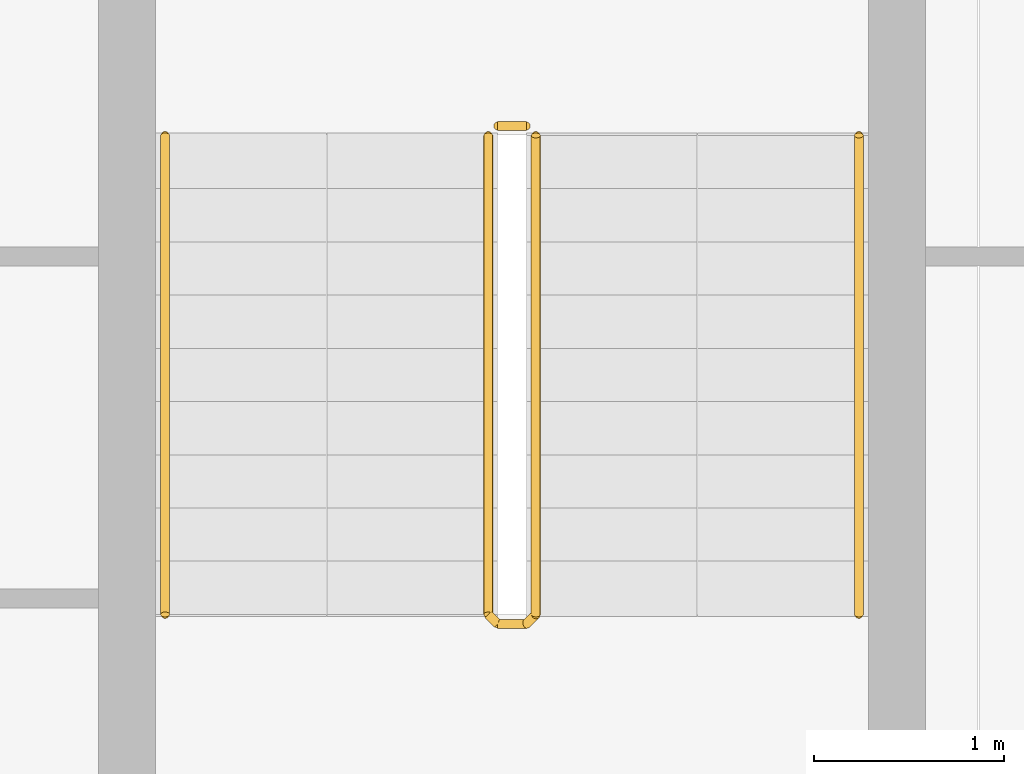
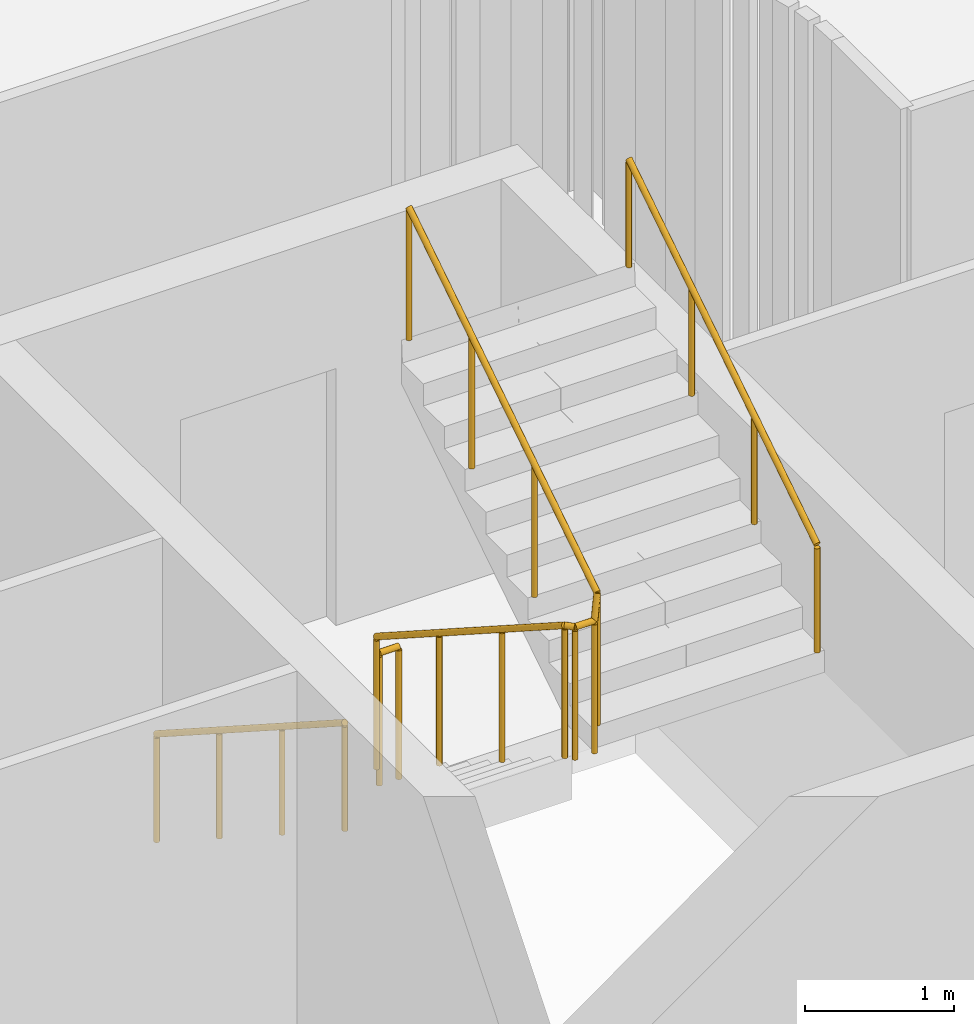
# One storey, part 29 of 31: 4 railings.
"""IFC4 building model written with IfcOpenShell, lengths in metres."""

from ifc_helpers import new_model, si_unit, direction, frame, origin, origin_2d, place, context, subcontext, project, spatial, circle, extrude, material, type_object, element, save


model = new_model("IFC4")

# Units and contexts
model_context = context("Model", 3, precision=1e-05, world=origin(), true_north=direction((0.0, 1.0)))
body_context = subcontext(model_context, "Body", "Model", "MODEL_VIEW")
ifc_project = project(units=[si_unit("LENGTHUNIT", "METRE"), si_unit("AREAUNIT", "SQUARE_METRE"), si_unit("VOLUMEUNIT", "CUBIC_METRE"), si_unit("PLANEANGLEUNIT", "RADIAN"), si_unit("MASSUNIT", "GRAM", prefix="KILO")], contexts=[model_context])

# Site, building, storey
site_placement = place(None, origin())
site = spatial("IfcSite", under=ifc_project, at=site_placement, CompositionType="ELEMENT")
building_placement = place(site_placement, origin())
building = spatial("IfcBuilding", under=site, at=building_placement, Name="Wharfspan Tower", CompositionType="ELEMENT")
storey_placement = place(building_placement, frame((0.0, 0.0, 103.899902)))
storey = spatial("IfcBuildingStorey", under=building, at=storey_placement, Name="L23", CompositionType="ELEMENT", Elevation=103.899902)

# Railings
ifc_material = material(Name="Steel S355J2", Category="steel")
railing_type_1 = type_object("IfcRailingType", Name="Stair guard 1100", PredefinedType="GUARDRAIL", material=ifc_material)
railing_1_placement = place(storey_placement, frame((43.235352, 6.316895, 0.180176)))
element("IfcRailing", 1, at=railing_1_placement, inside=storey, type_object=railing_type_1, Name="L23 ST4 stair guard 1", PredefinedType="GUARDRAIL", context=body_context, shape_type="SweptSolid", body=[
    extrude(circle(Radius=0.023926, at=origin_2d()), frame((0.0, 0.0, 1.076172), z_axis=(0.0, -0.8412, 0.540725), x_axis=(1.0, 0.0, 0.0)), (0.0, 0.0, 1.0), 2.99585),
    extrude(circle(Radius=0.023926, at=origin_2d()), frame((0.0, -2.52002, 2.695801), z_axis=(0.707107, -0.707107, 0.0), x_axis=(0.707107, 0.707107, 0.0)), (0.0, 0.0, 1.0), 0.070312),
    extrude(circle(Radius=0.023926, at=origin_2d()), frame((0.049805, -2.569824, 2.695801), z_axis=(1.0, 0.0, 0.0), x_axis=(0.0, 1.0, 0.0)), (0.0, 0.0, 1.0), 0.150146),
    extrude(circle(Radius=0.023926, at=origin_2d()), frame((0.199951, -2.569824, 2.695801), z_axis=(0.258932, 0.257669, 0.930892), x_axis=(-0.705372, 0.708833, -1e-06)), (0.0, 0.0, 1.0), 0.193359),
    extrude(circle(Radius=0.023926, at=origin_2d()), frame((0.25, -2.52002, 2.875977), z_axis=(0.0, 0.841163, 0.540782), x_axis=(-1.0, 0.0, 0.0)), (0.0, 0.0, 1.0), 2.99585),
    extrude(circle(Radius=0.020996, at=origin_2d()), origin(), (0.0, 0.0, 1.0), 1.052002),
    extrude(circle(Radius=0.020996, at=origin_2d()), frame((0.0, -0.840088, 0.540039)), (0.0, 0.0, 1.0), 1.052002),
    extrude(circle(Radius=0.020996, at=origin_2d()), frame((0.0, -1.679932, 1.079834)), (0.0, 0.0, 1.0), 1.052002),
    extrude(circle(Radius=0.020996, at=origin_2d()), frame((0.0, -2.52002, 1.619873)), (0.0, 0.0, 1.0), 1.052002),
    extrude(circle(Radius=0.020996, at=origin_2d()), frame((0.049805, -2.569824, 1.619873)), (0.0, 0.0, 1.0), 1.052002),
    extrude(circle(Radius=0.020996, at=origin_2d()), frame((0.199951, -2.569824, 1.619873)), (0.0, 0.0, 1.0), 1.052002),
    extrude(circle(Radius=0.020996, at=origin_2d()), frame((0.25, -2.52002, 1.799805)), (0.0, 0.0, 1.0), 1.052002),
    extrude(circle(Radius=0.020996, at=origin_2d()), frame((0.25, -1.679932, 2.339844)), (0.0, 0.0, 1.0), 1.052002),
    extrude(circle(Radius=0.020996, at=origin_2d()), frame((0.25, -0.840088, 2.879883)), (0.0, 0.0, 1.0), 1.052002),
    extrude(circle(Radius=0.020996, at=origin_2d()), frame((0.25, 0.0, 3.419922)), (0.0, 0.0, 1.0), 1.052002),
])
railing_2_placement = place(storey_placement, frame((43.285156, 6.366943, 0.0)))
element("IfcRailing", 2, at=railing_2_placement, inside=storey, type_object=railing_type_1, Name="L23 ST4 stair guard 2", PredefinedType="GUARDRAIL", context=body_context, shape_type="SweptSolid", body=[
    extrude(circle(Radius=0.023926, at=origin_2d()), frame((0.0, 0.0, 1.076172), z_axis=(1.0, 0.0, 0.0), x_axis=(0.0, 1.0, 0.0)), (0.0, 0.0, 1.0), 0.150146),
    extrude(circle(Radius=0.020996, at=origin_2d()), origin(), (0.0, 0.0, 1.0), 1.052002),
    extrude(circle(Radius=0.020996, at=origin_2d()), frame((0.150146, 0.0, 0.0)), (0.0, 0.0, 1.0), 1.052002),
])
railing_type_2 = type_object("IfcRailingType", Name="Stair handrail 900", PredefinedType="HANDRAIL", material=ifc_material)
railing_3_placement = place(storey_placement, frame((41.535156, 6.316895, 0.180176)))
element("IfcRailing", 3, at=railing_3_placement, inside=storey, type_object=railing_type_2, Name="L23 ST4 stair handrail 1", PredefinedType="HANDRAIL", context=body_context, shape_type="SweptSolid", body=[
    extrude(circle(Radius=0.023926, at=origin_2d()), frame((0.0, 0.0, 0.875977), z_axis=(0.0, -0.8412, 0.540725), x_axis=(1.0, 0.0, 0.0)), (0.0, 0.0, 1.0), 2.99585),
    extrude(circle(Radius=0.020996, at=origin_2d()), origin(), (0.0, 0.0, 1.0), 0.851807),
    extrude(circle(Radius=0.020996, at=origin_2d()), frame((0.0, -0.840088, 0.540039)), (0.0, 0.0, 1.0), 0.851807),
    extrude(circle(Radius=0.020996, at=origin_2d()), frame((0.0, -1.679932, 1.079834)), (0.0, 0.0, 1.0), 0.851807),
    extrude(circle(Radius=0.020996, at=origin_2d()), frame((0.0, -2.52002, 1.619873)), (0.0, 0.0, 1.0), 0.851807),
])
railing_4_placement = place(storey_placement, frame((45.185303, 3.796875, 1.97998)))
element("IfcRailing", 4, at=railing_4_placement, inside=storey, type_object=railing_type_2, Name="L23 ST4 stair handrail 2", PredefinedType="HANDRAIL", context=body_context, shape_type="SweptSolid", body=[
    extrude(circle(Radius=0.023926, at=origin_2d()), frame((0.0, 0.0, 0.875977), z_axis=(0.0, 0.841163, 0.540782), x_axis=(-1.0, 0.0, 0.0)), (0.0, 0.0, 1.0), 2.99585),
    extrude(circle(Radius=0.020996, at=origin_2d()), origin(), (0.0, 0.0, 1.0), 0.851807),
    extrude(circle(Radius=0.020996, at=origin_2d()), frame((0.0, 0.840088, 0.540039)), (0.0, 0.0, 1.0), 0.851807),
    extrude(circle(Radius=0.020996, at=origin_2d()), frame((0.0, 1.679932, 1.080078)), (0.0, 0.0, 1.0), 0.851807),
    extrude(circle(Radius=0.020996, at=origin_2d()), frame((0.0, 2.52002, 1.620117)), (0.0, 0.0, 1.0), 0.851807),
])

save(model, "model.ifc")
